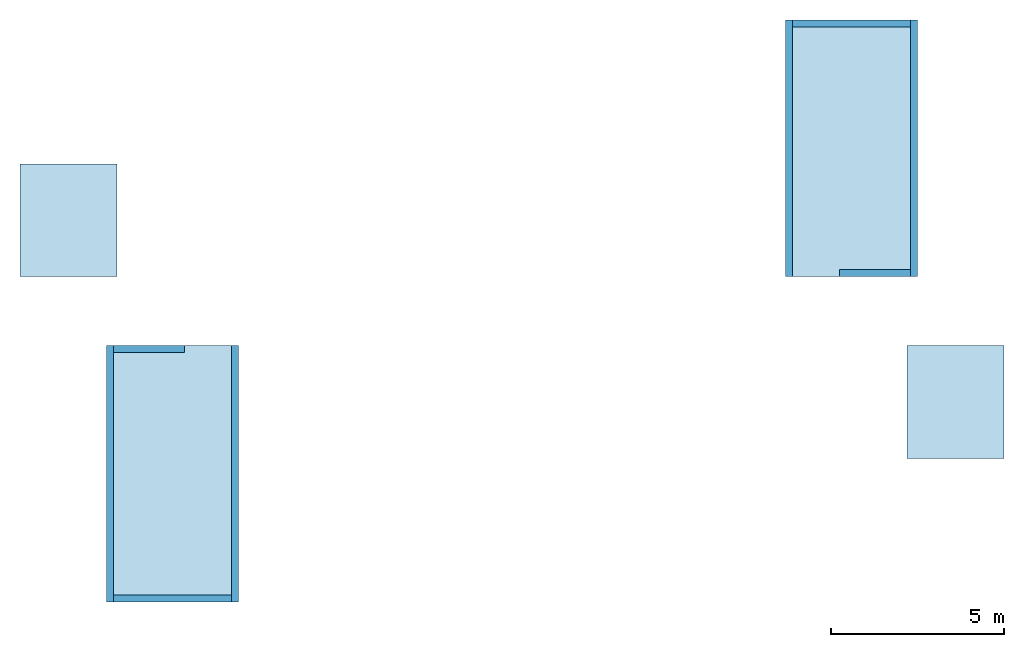
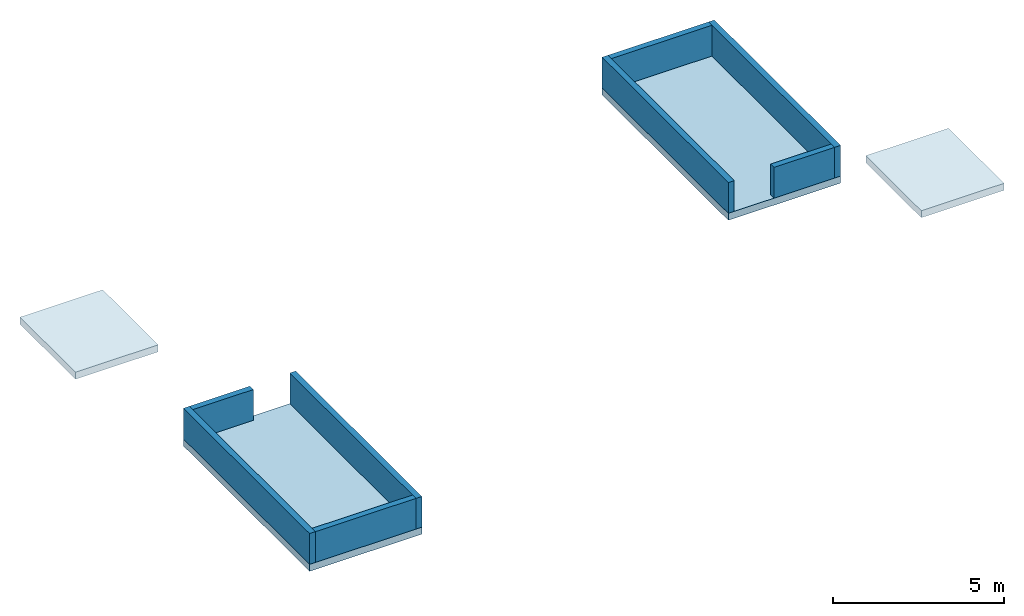
# One storey: 8 walls, 4 slabs.
"""IFC4 building model written with IfcOpenShell, lengths in metres."""

from ifc_helpers import new_model, si_unit, direction, frame, frame_2d, origin, place, context, subcontext, project, spatial, polyline, rectangle, outline, extrude, material, layer, layer_set, type_object, element, save


model = new_model("IFC4")

# Units and contexts
model_context = context("Model", 3, precision=1e-05, world=origin(), true_north=direction((0.0, 1.0)))
body_context = subcontext(model_context, "Body", "Model", "MODEL_VIEW")
ifc_project = project(units=[si_unit("LENGTHUNIT", "METRE"), si_unit("AREAUNIT", "SQUARE_METRE"), si_unit("VOLUMEUNIT", "CUBIC_METRE"), si_unit("PLANEANGLEUNIT", "RADIAN"), si_unit("MASSUNIT", "GRAM", prefix="KILO")], contexts=[model_context])

# Site, building, storey
site_placement = place(None, origin())
site = spatial("IfcSite", under=ifc_project, at=site_placement, CompositionType="ELEMENT")
building_placement = place(site_placement, origin())
building = spatial("IfcBuilding", under=site, at=building_placement, Name="Torre Brocal", CompositionType="ELEMENT")
storey_placement = place(building_placement, frame((0.0, 0.0, 340.60009765625)))
storey = spatial("IfcBuildingStorey", under=building, at=storey_placement, Name="RF-HH", CompositionType="ELEMENT", Elevation=340.60009765625)

# Slabs
ifc_material_1 = material(Name="Concrete C50", Category="concrete")
ifc_layer_1 = layer(ifc_material_1, 0.25)
ifc_layer_set_1 = layer_set([ifc_layer_1], Name="Concrete C50")
slab_type_1 = type_object("IfcSlabType", Name="HEAD-HOUSE ROOF 250", PredefinedType="ROOF", material=ifc_layer_set_1)
slab_1_placement = place(storey_placement, frame((0.0, 0.0, -0.25)))
element("IfcSlab", 1, at=slab_1_placement, inside=storey, type_object=slab_type_1, Name="Slab SHR250", PredefinedType="ROOF", context=body_context, shape_type="SweptSolid", body=[
    extrude(outline(polyline([(87.89990234375, 76.0), (91.699951171875, 76.0), (91.699951171875, 83.39990234375), (87.89990234375, 83.39990234375), (87.89990234375, 76.0)])), origin(), (0.0, 0.0, 1.0), 0.25),
])
slab_2_placement = place(storey_placement, frame((0.0, 0.0, -0.25)))
element("IfcSlab", 2, at=slab_2_placement, inside=storey, type_object=slab_type_1, Name="Slab SHR250", PredefinedType="ROOF", context=body_context, shape_type="SweptSolid", body=[
    extrude(outline(polyline([(72.10009765625, 74.0), (68.300048828125, 74.0), (68.300048828125, 66.60009765625), (72.10009765625, 66.60009765625), (72.10009765625, 74.0)])), origin(), (0.0, 0.0, 1.0), 0.25),
])
ifc_material_2 = material(Name="Concrete C50", Category="concrete")
ifc_layer_2 = layer(ifc_material_2, 0.25)
ifc_layer_set_2 = layer_set([ifc_layer_2], Name="Concrete C50")
slab_type_2 = type_object("IfcSlabType", Name="SHAFT CAP 250", PredefinedType="ROOF", material=ifc_layer_set_2)
slab_3_placement = place(storey_placement, frame((0.0, 0.0, 1.7998046875)))
element("IfcSlab", 3, at=slab_3_placement, inside=storey, type_object=slab_type_2, Name="Slab SHC250", PredefinedType="ROOF", context=body_context, shape_type="SweptSolid", body=[
    extrude(outline(polyline([(91.39990234375, 70.75), (94.199951171875, 70.75), (94.199951171875, 74.0), (91.39990234375, 74.0), (91.39990234375, 70.75)])), origin(), (0.0, 0.0, 1.0), 0.25),
])
slab_4_placement = place(storey_placement, frame((0.0, 0.0, 1.7998046875)))
element("IfcSlab", 4, at=slab_4_placement, inside=storey, type_object=slab_type_2, Name="Slab SHC250", PredefinedType="ROOF", context=body_context, shape_type="SweptSolid", body=[
    extrude(outline(polyline([(68.60009765625, 79.25), (65.800048828125, 79.25), (65.800048828125, 76.0), (68.60009765625, 76.0), (68.60009765625, 79.25)])), origin(), (0.0, 0.0, 1.0), 0.25),
])

# Walls
ifc_material_3 = material(Name="Concrete C40", Category="concrete")
ifc_layer_3 = layer(ifc_material_3, 0.199951171875)
ifc_layer_set_3 = layer_set([ifc_layer_3], Name="Concrete C40")
wall_type = type_object("IfcWallType", Name="HEAD-HOUSE ROOF PARAPET 200 THICK 1100 HIGH", PredefinedType="PARAPET", material=ifc_layer_set_3)
wall_1_placement = place(storey_placement, frame((88.0, 76.0, 0.0), z_axis=(0.0, 0.0, 1.0), x_axis=(0.0, 1.0, 0.0)))
element("IfcWall", 5, at=wall_1_placement, inside=storey, type_object=wall_type, Name="Wall PHR200", PredefinedType="PARAPET", context=body_context, shape_type="SweptSolid", body=[
    extrude(rectangle(XDim=7.39990234375, YDim=0.199951171875, at=frame_2d((3.699951171875, 0.0))), origin(), (0.0, 0.0, 1.0), 1.099853515625),
])
wall_2_placement = place(storey_placement, frame((88.10009765625, 83.300048828125, 0.0), z_axis=(0.0, 0.0, 1.0), x_axis=(1.0, 0.0, 0.0)))
element("IfcWall", 6, at=wall_2_placement, inside=storey, type_object=wall_type, Name="Wall PHR200", PredefinedType="PARAPET", context=body_context, shape_type="SweptSolid", body=[
    extrude(rectangle(XDim=3.39990234375, YDim=0.199951171875, at=frame_2d((1.699951171875, 0.0))), origin(), (0.0, 0.0, 1.0), 1.099853515625),
])
wall_3_placement = place(storey_placement, frame((91.60009765625, 76.0, 0.0), z_axis=(0.0, 0.0, 1.0), x_axis=(0.0, 1.0, 0.0)))
element("IfcWall", 7, at=wall_3_placement, inside=storey, type_object=wall_type, Name="Wall PHR200", PredefinedType="PARAPET", context=body_context, shape_type="SweptSolid", body=[
    extrude(rectangle(XDim=7.39990234375, YDim=0.199951171875, at=frame_2d((3.699951171875, 0.0))), origin(), (0.0, 0.0, 1.0), 1.099853515625),
])
wall_4_placement = place(storey_placement, frame((89.449951171875, 76.10009765625, 0.0), z_axis=(0.0, 0.0, 1.0), x_axis=(1.0, 0.0, 0.0)))
element("IfcWall", 8, at=wall_4_placement, inside=storey, type_object=wall_type, Name="Wall PHR200", PredefinedType="PARAPET", context=body_context, shape_type="SweptSolid", body=[
    extrude(rectangle(XDim=2.050048828125, YDim=0.199951171875, at=frame_2d((1.02490234375, 0.0))), origin(), (0.0, 0.0, 1.0), 1.099853515625),
])
wall_5_placement = place(storey_placement, frame((72.0, 74.0, 0.0), z_axis=(0.0, 0.0, 1.0), x_axis=(0.0, -1.0, 0.0)))
element("IfcWall", 9, at=wall_5_placement, inside=storey, type_object=wall_type, Name="Wall PHR200", PredefinedType="PARAPET", context=body_context, shape_type="SweptSolid", body=[
    extrude(rectangle(XDim=7.39990234375, YDim=0.199951171875, at=frame_2d((3.699951171875, 0.0))), origin(), (0.0, 0.0, 1.0), 1.099853515625),
])
wall_6_placement = place(storey_placement, frame((71.89990234375, 66.699951171875, 0.0), z_axis=(0.0, 0.0, 1.0), x_axis=(-1.0, 0.0, 0.0)))
element("IfcWall", 10, at=wall_6_placement, inside=storey, type_object=wall_type, Name="Wall PHR200", PredefinedType="PARAPET", context=body_context, shape_type="SweptSolid", body=[
    extrude(rectangle(XDim=3.39990234375, YDim=0.199951171875, at=frame_2d((1.699951171875, 0.0))), origin(), (0.0, 0.0, 1.0), 1.099853515625),
])
wall_7_placement = place(storey_placement, frame((68.39990234375, 74.0, 0.0), z_axis=(0.0, 0.0, 1.0), x_axis=(0.0, -1.0, 0.0)))
element("IfcWall", 11, at=wall_7_placement, inside=storey, type_object=wall_type, Name="Wall PHR200", PredefinedType="PARAPET", context=body_context, shape_type="SweptSolid", body=[
    extrude(rectangle(XDim=7.39990234375, YDim=0.199951171875, at=frame_2d((3.699951171875, 0.0))), origin(), (0.0, 0.0, 1.0), 1.099853515625),
])
wall_8_placement = place(storey_placement, frame((70.550048828125, 73.89990234375, 0.0), z_axis=(0.0, 0.0, 1.0), x_axis=(-1.0, 0.0, 0.0)))
element("IfcWall", 12, at=wall_8_placement, inside=storey, type_object=wall_type, Name="Wall PHR200", PredefinedType="PARAPET", context=body_context, shape_type="SweptSolid", body=[
    extrude(rectangle(XDim=2.050048828125, YDim=0.199951171875, at=frame_2d((1.02490234375, 0.0))), origin(), (0.0, 0.0, 1.0), 1.099853515625),
])

save(model, "model.ifc")
